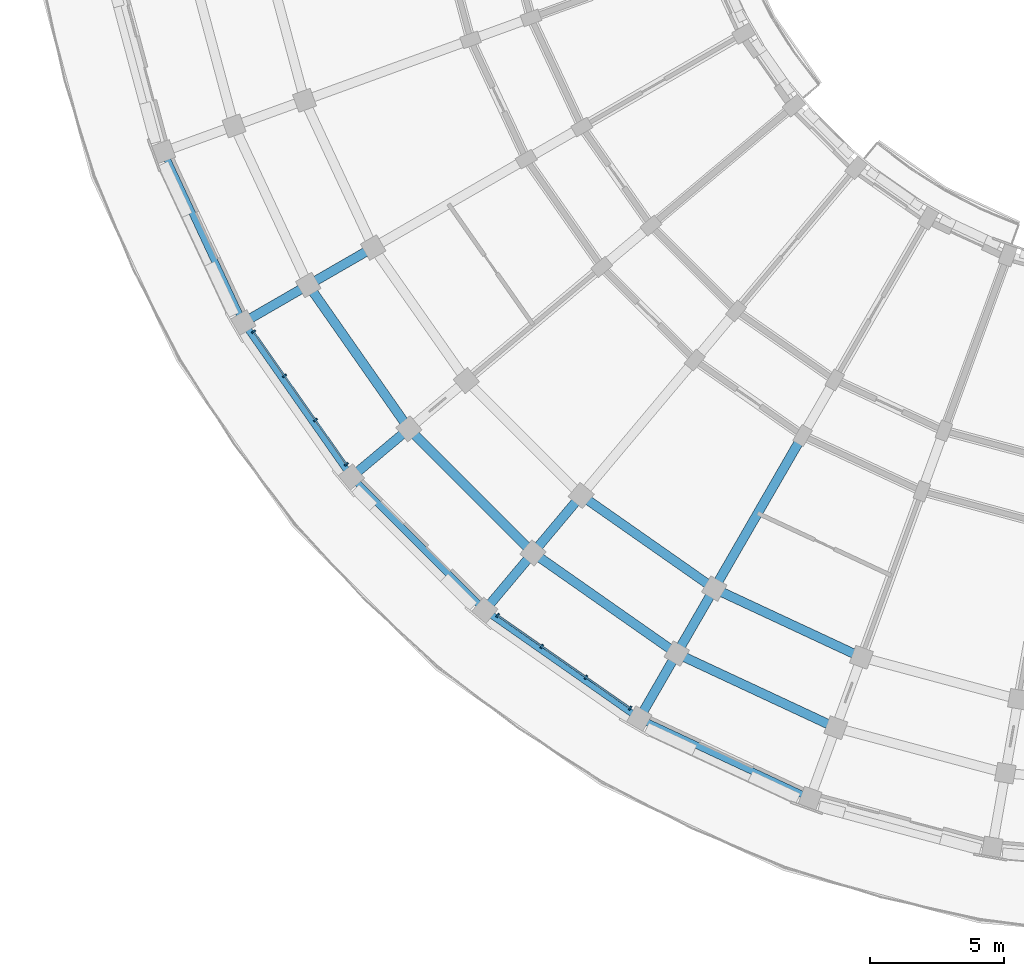
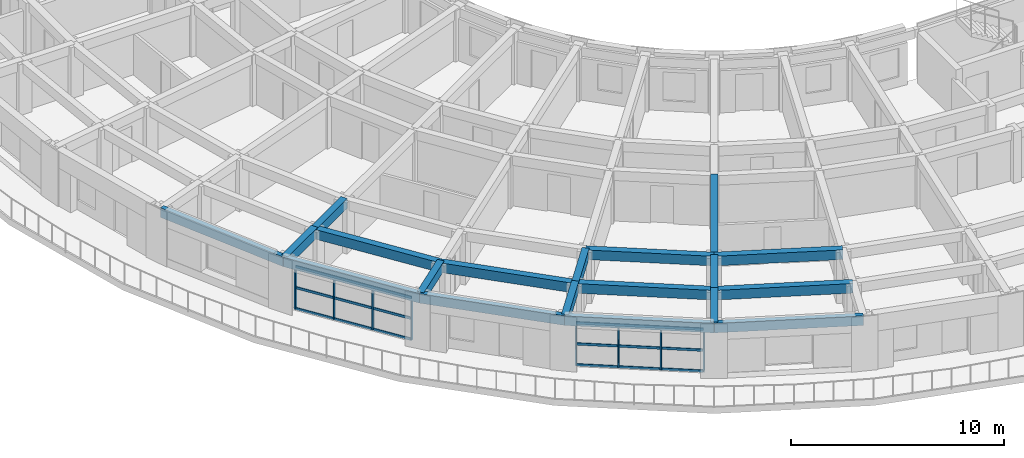
# One storey, part 4 of 57: 19 beams, 14 members, 2 elements without a shape of their own.
"""IFC4 building model written with IfcOpenShell, lengths in metres."""

from ifc_helpers import new_model, si_unit, direction, frame, origin, origin_2d, place, context, subcontext, project, spatial, rectangle, extrude, material, material_profile, profile_set, type_object, element, aggregate, save


model = new_model("IFC4")

# Units and contexts
model_context = context("Model", 3, precision=1e-05, world=origin(), true_north=direction((0.0, 1.0)))
body_context = subcontext(model_context, "Body", "Model", "MODEL_VIEW")
ifc_project = project(units=[si_unit("LENGTHUNIT", "METRE"), si_unit("AREAUNIT", "SQUARE_METRE"), si_unit("VOLUMEUNIT", "CUBIC_METRE"), si_unit("PLANEANGLEUNIT", "RADIAN"), si_unit("MASSUNIT", "GRAM", prefix="KILO")], contexts=[model_context])

# Site, building, storey
site_placement = place(None, origin())
site = spatial("IfcSite", under=ifc_project, at=site_placement, CompositionType="ELEMENT")
building_placement = place(site_placement, origin())
building = spatial("IfcBuilding", under=site, at=building_placement, Name="Kiranvali Square Residences", CompositionType="ELEMENT")
storey_placement = place(building_placement, frame((0.0, 0.0, 24.449951171875)))
storey = spatial("IfcBuildingStorey", under=building, at=storey_placement, Name="L07", CompositionType="ELEMENT", Elevation=24.449951171875)

# Beams
ifc_material_1 = material(Name="Concrete M40 (40 MPa)", Category="concrete")
ifc_material_profile_1 = material_profile(ifc_material_1, rectangle(XDim=0.35009765625, YDim=0.550048828125, at=origin_2d()), Name="RC 350x550")
ifc_profile_set_1 = profile_set([ifc_material_profile_1], Name="Concrete M40 (40 MPa)")
beam_type_1 = type_object("IfcBeamType", Name="BM-M40-350x550", PredefinedType="BEAM", material=ifc_profile_set_1)
beam_1_placement = place(storey_placement, frame((36.297607421875, 15.498779296875, 2.655029296875), z_axis=(-0.906312656069, 0.42260781991, 0.0), x_axis=(-0.42260781991, -0.906312656069, 0.0)))
element("IfcBeam", 1, at=beam_1_placement, inside=storey, type_object=beam_type_1, Name="L07 beam BM-C-L07-C02-R3", PredefinedType="BEAM", context=body_context, shape_type="SweptSolid", body=[
    extrude(rectangle(XDim=0.35009765625, YDim=0.550048828125, at=origin_2d()), origin(), (0.0, 0.0, 1.0), 6.06591796875),
])
beam_2_placement = place(storey_placement, frame((35.340087890625, 12.86767578125, 2.655029296875), z_axis=(-0.906318225223, 0.422595876255, 0.0), x_axis=(-0.422595876255, -0.906318225223, 0.0)))
element("IfcBeam", 2, at=beam_2_placement, inside=storey, type_object=beam_type_1, Name="L07 beam BM-C-L07-C02-R4", PredefinedType="BEAM", context=body_context, shape_type="SweptSolid", body=[
    extrude(rectangle(XDim=0.35009765625, YDim=0.550048828125, at=origin_2d()), origin(), (0.0, 0.0, 1.0), 6.55419921875),
])
beam_3_placement = place(storey_placement, frame((30.800048828125, 18.062255859375, 2.655029296875), z_axis=(-0.81913926159, 0.573594691504, 0.0), x_axis=(-0.573594691504, -0.81913926159, 0.0)))
element("IfcBeam", 3, at=beam_3_placement, inside=storey, type_object=beam_type_1, Name="L07 beam BM-C-L07-C03-R3", PredefinedType="BEAM", context=body_context, shape_type="SweptSolid", body=[
    extrude(rectangle(XDim=0.35009765625, YDim=0.550048828125, at=origin_2d()), origin(), (0.0, 0.0, 1.0), 6.066162109375),
])
beam_4_placement = place(storey_placement, frame((29.39990234375, 15.637451171875, 2.655029296875), z_axis=(-0.819144409176, 0.573587340268, 0.0), x_axis=(-0.573587340268, -0.819144409176, 0.0)))
element("IfcBeam", 4, at=beam_4_placement, inside=storey, type_object=beam_type_1, Name="L07 beam BM-C-L07-C03-R4", PredefinedType="BEAM", context=body_context, shape_type="SweptSolid", body=[
    extrude(rectangle(XDim=0.35009765625, YDim=0.550048828125, at=origin_2d()), origin(), (0.0, 0.0, 1.0), 6.553955078125),
])
beam_5_placement = place(storey_placement, frame((24.03125, 19.396728515625, 2.655029296875), z_axis=(-0.707106781187, 0.707106781187, 0.0), x_axis=(-0.707106781187, -0.707106781187, 0.0)))
element("IfcBeam", 5, at=beam_5_placement, inside=storey, type_object=beam_type_1, Name="L07 beam BM-C-L07-C04-R4", PredefinedType="BEAM", context=body_context, shape_type="SweptSolid", body=[
    extrude(rectangle(XDim=0.35009765625, YDim=0.550048828125, at=origin_2d()), origin(), (0.0, 0.0, 1.0), 6.55419921875),
])
beam_6_placement = place(storey_placement, frame((19.396728515625, 24.03125, 2.655029296875), z_axis=(-0.573587340268, 0.819144409176, 0.0), x_axis=(-0.819144409176, -0.573587340268, 0.0)))
element("IfcBeam", 6, at=beam_6_placement, inside=storey, type_object=beam_type_1, Name="L07 beam BM-C-L07-C05-R4", PredefinedType="BEAM", context=body_context, shape_type="SweptSolid", body=[
    extrude(rectangle(XDim=0.35009765625, YDim=0.550048828125, at=origin_2d()), origin(), (0.0, 0.0, 1.0), 6.553955078125),
])
beam_7_placement = place(storey_placement, frame((34.10009765625, 23.778076171875, 2.655029296875), z_axis=(-0.500002094529, -0.866024194504, 0.0), x_axis=(0.866024194504, -0.500002094529, 0.0)))
element("IfcBeam", 7, at=beam_7_placement, inside=storey, type_object=beam_type_1, Name="L07 beam BM-C-L07-RAD03-23", PredefinedType="BEAM", context=body_context, shape_type="SweptSolid", body=[
    extrude(rectangle(XDim=0.35009765625, YDim=0.550048828125, at=origin_2d()), origin(), (0.0, 0.0, 1.0), 6.60009765625),
])
beam_8_placement = place(storey_placement, frame((30.800048828125, 18.062255859375, 2.655029296875), z_axis=(-0.500049511043, -0.865996816683, 0.0), x_axis=(0.865996816683, -0.500049511043, 0.0)))
element("IfcBeam", 8, at=beam_8_placement, inside=storey, type_object=beam_type_1, Name="L07 beam BM-C-L07-RAD03-34", PredefinedType="BEAM", context=body_context, shape_type="SweptSolid", body=[
    extrude(rectangle(XDim=0.35009765625, YDim=0.550048828125, at=origin_2d()), origin(), (0.0, 0.0, 1.0), 2.800048828125),
])
beam_9_placement = place(storey_placement, frame((29.39990234375, 15.637451171875, 2.695068359375), z_axis=(-0.49998411664, -0.866034573852, 0.0), x_axis=(0.866034573852, -0.49998411664, 0.0)))
element("IfcBeam", 9, at=beam_9_placement, inside=storey, type_object=beam_type_1, Name="L07 beam BM-C-L07-RAD03-45", PredefinedType="BEAM", context=body_context, shape_type="SweptSolid", body=[
    extrude(rectangle(XDim=0.35009765625, YDim=0.550048828125, at=origin_2d()), origin(), (0.0, 0.0, 1.0), 2.7998046875),
])
for number, where, z_axis, x_axis, name in (
    (10, (25.8310546875, 21.541748046875, 2.655029296875), (-0.642770757628, -0.766058583359, 0.0), (0.766058583359, -0.642770757628, 0.0), "L07 beam BM-C-L07-RAD04-34"),
    (11, (24.03125, 19.396728515625, 2.695068359375), (-0.642770757628, -0.766058583359, 0.0), (0.766058583359, -0.642770757628, 0.0), "L07 beam BM-C-L07-RAD04-45"),
    (12, (19.396728515625, 24.03125, 2.695068359375), (-0.766058583359, -0.642770757628, 0.0), (0.642770757628, -0.766058583359, 0.0), "L07 beam BM-C-L07-RAD05-45"),
    (13, (18.062255859375, 30.800048828125, 2.655029296875), (-0.865996816683, -0.500049511043, 0.0), (0.500049511043, -0.865996816683, 0.0), "L07 beam BM-C-L07-RAD06-34"),
):
    element("IfcBeam", number, at=place(storey_placement, frame(where, z_axis=z_axis, x_axis=x_axis)), inside=storey, type_object=beam_type_1, Name=name, PredefinedType="BEAM", context=body_context, shape_type="SweptSolid", body=[
        extrude(rectangle(XDim=0.35009765625, YDim=0.550048828125, at=origin_2d()), origin(), (0.0, 0.0, 1.0), 2.800048828125),
    ])
beam_10_placement = place(storey_placement, frame((15.637451171875, 29.39990234375, 2.695068359375), z_axis=(-0.866034573852, -0.49998411664, 0.0), x_axis=(0.49998411664, -0.866034573852, 0.0)))
element("IfcBeam", 14, at=beam_10_placement, inside=storey, type_object=beam_type_1, Name="L07 beam BM-C-L07-RAD06-45", PredefinedType="BEAM", context=body_context, shape_type="SweptSolid", body=[
    extrude(rectangle(XDim=0.35009765625, YDim=0.550048828125, at=origin_2d()), origin(), (0.0, 0.0, 1.0), 2.7998046875),
])

# Curtain wall, members
ifc_material_2 = material(Name="Anodised bronze aluminium framing", Category="aluminium")
curtain_wall_type = type_object("IfcCurtainWallType", Name="CW-RES-LOG", PredefinedType="USERDEFINED", material=ifc_material_2)
curtain_wall_1_placement = place(storey_placement, origin())
curtain_wall_1 = element("IfcCurtainWall", 15, at=curtain_wall_1_placement, inside=storey, type_object=curtain_wall_type, Name="Block C L07 stepped curved terrace loggia 4", ObjectType="CURTAIN WALL", PredefinedType="USERDEFINED")
ifc_material_profile_2 = material_profile(ifc_material_2, rectangle(XDim=0.06494140625, YDim=0.159912109375, at=origin_2d()), Name="ALU 65x160")
ifc_profile_set_2 = profile_set([ifc_material_profile_2], Name="Anodised bronze aluminium framing")
member_type_1 = type_object("IfcMemberType", Name="CW-MUL-160", PredefinedType="MULLION", material=ifc_profile_set_2)
member_1_placement = place(storey_placement, frame((27.6591796875, 13.59765625, 0.02001953125), z_axis=(0.0, 0.0, 1.0), x_axis=(-0.819152044289, 0.573576436351, 0.0)))
member_1 = element("IfcMember", 16, at=member_1_placement, type_object=member_type_1, Name="CW-C-L07-TER-03 vertical mullion 1", PredefinedType="MULLION", context=body_context, shape_type="SweptSolid", body=[
    extrude(rectangle(XDim=0.06494140625, YDim=0.159912109375, at=origin_2d()), origin(), (0.0, 0.0, 1.0), 2.43994140625),
])
member_2_placement = place(storey_placement, frame((26.009521484375, 14.7529296875, 0.02001953125), z_axis=(0.0, 0.0, 1.0), x_axis=(-0.819152044289, 0.573576436351, 0.0)))
member_2 = element("IfcMember", 17, at=member_2_placement, type_object=member_type_1, Name="CW-C-L07-TER-03 vertical mullion 2", PredefinedType="MULLION", context=body_context, shape_type="SweptSolid", body=[
    extrude(rectangle(XDim=0.06494140625, YDim=0.159912109375, at=origin_2d()), origin(), (0.0, 0.0, 1.0), 2.43994140625),
])
member_3_placement = place(storey_placement, frame((24.359619140625, 15.908203125, 0.02001953125), z_axis=(0.0, 0.0, 1.0), x_axis=(-0.819152044289, 0.573576436351, 0.0)))
member_3 = element("IfcMember", 18, at=member_3_placement, type_object=member_type_1, Name="CW-C-L07-TER-03 vertical mullion 3", PredefinedType="MULLION", context=body_context, shape_type="SweptSolid", body=[
    extrude(rectangle(XDim=0.06494140625, YDim=0.159912109375, at=origin_2d()), origin(), (0.0, 0.0, 1.0), 2.43994140625),
])
member_4_placement = place(storey_placement, frame((22.709716796875, 17.063232421875, 0.02001953125), z_axis=(0.0, 0.0, 1.0), x_axis=(-0.819152044289, 0.573576436351, 0.0)))
member_4 = element("IfcMember", 19, at=member_4_placement, type_object=member_type_1, Name="CW-C-L07-TER-03 vertical mullion 4", PredefinedType="MULLION", context=body_context, shape_type="SweptSolid", body=[
    extrude(rectangle(XDim=0.06494140625, YDim=0.159912109375, at=origin_2d()), origin(), (0.0, 0.0, 1.0), 2.43994140625),
])

curtain_wall_2_placement = place(storey_placement, origin())
curtain_wall_2 = element("IfcCurtainWall", 20, at=curtain_wall_2_placement, inside=storey, type_object=curtain_wall_type, Name="Block C L07 stepped curved terrace loggia 6", ObjectType="CURTAIN WALL", PredefinedType="USERDEFINED")
member_5_placement = place(storey_placement, frame((17.063232421875, 22.709716796875, 0.02001953125), z_axis=(0.0, 0.0, 1.0), x_axis=(-0.573576436351, 0.819152044289, 0.0)))
member_5 = element("IfcMember", 21, at=member_5_placement, type_object=member_type_1, Name="CW-C-L07-TER-05 vertical mullion 1", PredefinedType="MULLION", context=body_context, shape_type="SweptSolid", body=[
    extrude(rectangle(XDim=0.06494140625, YDim=0.159912109375, at=origin_2d()), origin(), (0.0, 0.0, 1.0), 2.43994140625),
])
member_6_placement = place(storey_placement, frame((15.908203125, 24.359619140625, 0.02001953125), z_axis=(0.0, 0.0, 1.0), x_axis=(-0.573576436351, 0.819152044289, 0.0)))
member_6 = element("IfcMember", 22, at=member_6_placement, type_object=member_type_1, Name="CW-C-L07-TER-05 vertical mullion 2", PredefinedType="MULLION", context=body_context, shape_type="SweptSolid", body=[
    extrude(rectangle(XDim=0.06494140625, YDim=0.159912109375, at=origin_2d()), origin(), (0.0, 0.0, 1.0), 2.43994140625),
])
member_7_placement = place(storey_placement, frame((14.7529296875, 26.009521484375, 0.02001953125), z_axis=(0.0, 0.0, 1.0), x_axis=(-0.573576436351, 0.819152044289, 0.0)))
member_7 = element("IfcMember", 23, at=member_7_placement, type_object=member_type_1, Name="CW-C-L07-TER-05 vertical mullion 3", PredefinedType="MULLION", context=body_context, shape_type="SweptSolid", body=[
    extrude(rectangle(XDim=0.06494140625, YDim=0.159912109375, at=origin_2d()), origin(), (0.0, 0.0, 1.0), 2.43994140625),
])
member_8_placement = place(storey_placement, frame((13.59765625, 27.6591796875, 0.02001953125), z_axis=(0.0, 0.0, 1.0), x_axis=(-0.573576436351, 0.819152044289, 0.0)))
member_8 = element("IfcMember", 24, at=member_8_placement, type_object=member_type_1, Name="CW-C-L07-TER-05 vertical mullion 4", PredefinedType="MULLION", context=body_context, shape_type="SweptSolid", body=[
    extrude(rectangle(XDim=0.06494140625, YDim=0.159912109375, at=origin_2d()), origin(), (0.0, 0.0, 1.0), 2.43994140625),
])

# Member
ifc_material_profile_3 = material_profile(ifc_material_2, rectangle(XDim=0.06494140625, YDim=0.139892578125, at=origin_2d()), Name="ALU 65x140")
ifc_profile_set_3 = profile_set([ifc_material_profile_3], Name="Anodised bronze aluminium framing")
member_type_2 = type_object("IfcMemberType", Name="CW-TRN-140", PredefinedType="MULLION", material=ifc_profile_set_3)
member_9_placement = place(storey_placement, frame((27.651123046875, 13.603515625, 0.0400390625), z_axis=(-0.819159539839, 0.573565731448, 0.0), x_axis=(-0.573565731448, -0.819159539839, 0.0)))
member_9 = element("IfcMember", 25, at=member_9_placement, type_object=member_type_2, Name="CW-C-L07-TER-03 horizontal transom 1", PredefinedType="MULLION", context=body_context, shape_type="SweptSolid", body=[
    extrude(rectangle(XDim=0.06494140625, YDim=0.139892578125, at=origin_2d()), origin(), (0.0, 0.0, 1.0), 6.022216796875),
])

member_10_placement = place(storey_placement, frame((27.651123046875, 13.603515625, 1.239990234375), z_axis=(-0.819159539839, 0.573565731448, 0.0), x_axis=(-0.573565731448, -0.819159539839, 0.0)))
member_10 = element("IfcMember", 26, at=member_10_placement, type_object=member_type_2, Name="CW-C-L07-TER-03 horizontal transom 2", PredefinedType="MULLION", context=body_context, shape_type="SweptSolid", body=[
    extrude(rectangle(XDim=0.06494140625, YDim=0.139892578125, at=origin_2d()), origin(), (0.0, 0.0, 1.0), 6.022216796875),
])

member_11_placement = place(storey_placement, frame((27.651123046875, 13.603515625, 2.43994140625), z_axis=(-0.819159539839, 0.573565731448, 0.0), x_axis=(-0.573565731448, -0.819159539839, 0.0)))
member_11 = element("IfcMember", 27, at=member_11_placement, type_object=member_type_2, Name="CW-C-L07-TER-03 horizontal transom 3", PredefinedType="MULLION", context=body_context, shape_type="SweptSolid", body=[
    extrude(rectangle(XDim=0.06494140625, YDim=0.139892578125, at=origin_2d()), origin(), (0.0, 0.0, 1.0), 6.022216796875),
])

aggregate(curtain_wall_1, [member_1, member_2, member_3, member_4, member_9, member_10, member_11])

member_12_placement = place(storey_placement, frame((17.0576171875, 22.718017578125, 0.0400390625), z_axis=(-0.573565731448, 0.819159539839, 0.0), x_axis=(-0.819159539839, -0.573565731448, 0.0)))
member_12 = element("IfcMember", 28, at=member_12_placement, type_object=member_type_2, Name="CW-C-L07-TER-05 horizontal transom 1", PredefinedType="MULLION", context=body_context, shape_type="SweptSolid", body=[
    extrude(rectangle(XDim=0.06494140625, YDim=0.139892578125, at=origin_2d()), origin(), (0.0, 0.0, 1.0), 6.022216796875),
])

member_13_placement = place(storey_placement, frame((17.0576171875, 22.718017578125, 1.239990234375), z_axis=(-0.573565731448, 0.819159539839, 0.0), x_axis=(-0.819159539839, -0.573565731448, 0.0)))
member_13 = element("IfcMember", 29, at=member_13_placement, type_object=member_type_2, Name="CW-C-L07-TER-05 horizontal transom 2", PredefinedType="MULLION", context=body_context, shape_type="SweptSolid", body=[
    extrude(rectangle(XDim=0.06494140625, YDim=0.139892578125, at=origin_2d()), origin(), (0.0, 0.0, 1.0), 6.022216796875),
])

member_14_placement = place(storey_placement, frame((17.0576171875, 22.718017578125, 2.43994140625), z_axis=(-0.573565731448, 0.819159539839, 0.0), x_axis=(-0.819159539839, -0.573565731448, 0.0)))
member_14 = element("IfcMember", 30, at=member_14_placement, type_object=member_type_2, Name="CW-C-L07-TER-05 horizontal transom 3", PredefinedType="MULLION", context=body_context, shape_type="SweptSolid", body=[
    extrude(rectangle(XDim=0.06494140625, YDim=0.139892578125, at=origin_2d()), origin(), (0.0, 0.0, 1.0), 6.022216796875),
])

aggregate(curtain_wall_2, [member_5, member_6, member_7, member_8, member_12, member_13, member_14])

# Beams
ifc_material_profile_4 = material_profile(ifc_material_1, rectangle(XDim=0.25, YDim=0.550048828125, at=origin_2d()), Name="RC 250x550")
ifc_profile_set_4 = profile_set([ifc_material_profile_4], Name="Concrete M40 (40 MPa)")
beam_type_2 = type_object("IfcBeamType", Name="SPN-M40-250x550", PredefinedType="SPANDREL", material=ifc_profile_set_4)
beam_11_placement = place(storey_placement, frame((34.38232421875, 10.236328125, 2.695068359375), z_axis=(-0.906297360311, 0.422640621205, 0.0), x_axis=(-0.422640621205, -0.906297360311, 0.0)))
element("IfcBeam", 31, at=beam_11_placement, inside=storey, type_object=beam_type_2, Name="L07 beam BM-C-L07-C02-R5", PredefinedType="SPANDREL", context=body_context, shape_type="SweptSolid", body=[
    extrude(rectangle(XDim=0.25, YDim=0.550048828125, at=origin_2d()), origin(), (0.0, 0.0, 1.0), 7.042236328125),
])
beam_12_placement = place(storey_placement, frame((28.0, 13.212646484375, 2.695068359375), z_axis=(-0.819160249246, 0.57356471828, 0.0), x_axis=(-0.57356471828, -0.819160249246, 0.0)))
element("IfcBeam", 32, at=beam_12_placement, inside=storey, type_object=beam_type_2, Name="L07 beam BM-C-L07-C03-R5", PredefinedType="SPANDREL", context=body_context, shape_type="SweptSolid", body=[
    extrude(rectangle(XDim=0.25, YDim=0.550048828125, at=origin_2d()), origin(), (0.0, 0.0, 1.0), 7.0419921875),
])
beam_13_placement = place(storey_placement, frame((22.2314453125, 17.251708984375, 2.695068359375), z_axis=(-0.707106781187, 0.707106781187, 0.0), x_axis=(-0.707106781187, -0.707106781187, 0.0)))
element("IfcBeam", 33, at=beam_13_placement, inside=storey, type_object=beam_type_2, Name="L07 beam BM-C-L07-C04-R5", PredefinedType="SPANDREL", context=body_context, shape_type="SweptSolid", body=[
    extrude(rectangle(XDim=0.25, YDim=0.550048828125, at=origin_2d()), origin(), (0.0, 0.0, 1.0), 7.04248046875),
])
beam_14_placement = place(storey_placement, frame((17.251708984375, 22.2314453125, 2.695068359375), z_axis=(-0.57356471828, 0.819160249246, 0.0), x_axis=(-0.819160249246, -0.57356471828, 0.0)))
element("IfcBeam", 34, at=beam_14_placement, inside=storey, type_object=beam_type_2, Name="L07 beam BM-C-L07-C05-R5", PredefinedType="SPANDREL", context=body_context, shape_type="SweptSolid", body=[
    extrude(rectangle(XDim=0.25, YDim=0.550048828125, at=origin_2d()), origin(), (0.0, 0.0, 1.0), 7.0419921875),
])
beam_15_placement = place(storey_placement, frame((13.212646484375, 28.0, 2.695068359375), z_axis=(-0.422640621205, 0.906297360311, 0.0), x_axis=(-0.906297360311, -0.422640621205, 0.0)))
element("IfcBeam", 35, at=beam_15_placement, inside=storey, type_object=beam_type_2, Name="L07 beam BM-C-L07-C06-R5", PredefinedType="SPANDREL", context=body_context, shape_type="SweptSolid", body=[
    extrude(rectangle(XDim=0.25, YDim=0.550048828125, at=origin_2d()), origin(), (0.0, 0.0, 1.0), 7.042236328125),
])

save(model, "model.ifc")
